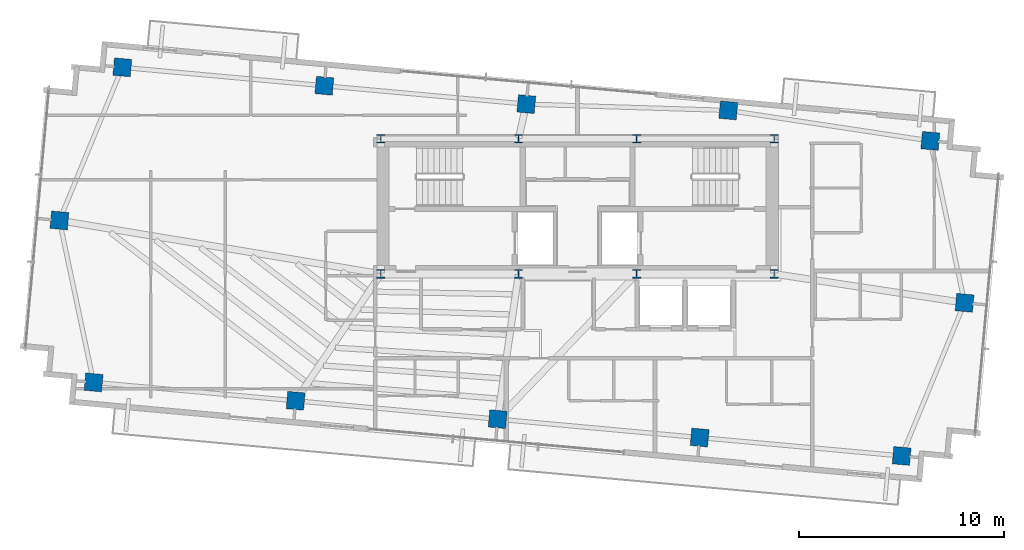
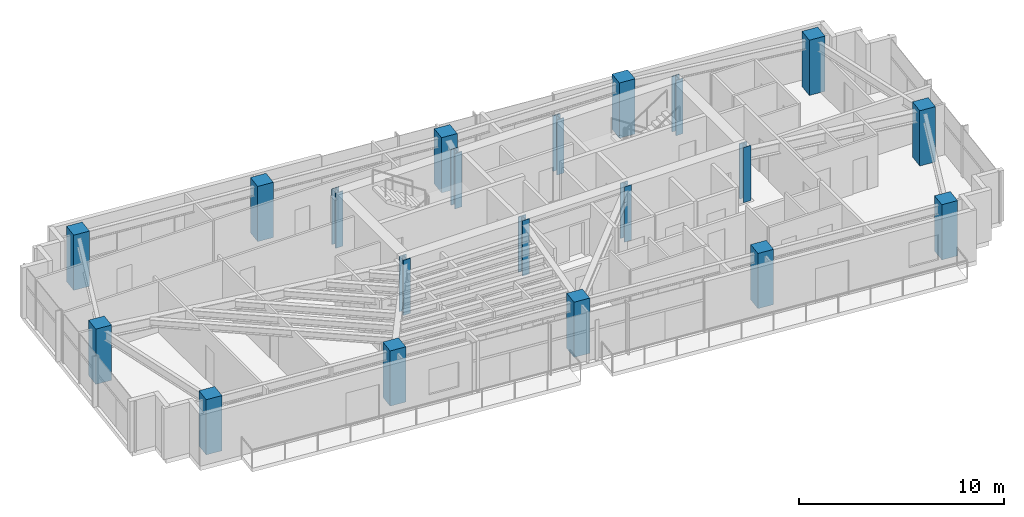
# One storey, part 1 of 22: 20 columns.
"""IFC4 building model written with IfcOpenShell, lengths in metres."""

import ifcopenshell
import ifcopenshell.guid

model = None  # the IFC model being written
_history = None  # IfcOwnerHistory: only IFC2X3 demands one
_inside = {}  # id of a spatial element -> (the spatial element, [elements in it])
_under = {}  # id of a project, library or spatial element -> (it, [spatial elements below it])
_declared = {}  # id of a project -> (the project, [libraries it declares])
_typed = {}  # id of a type object -> (the type object, [elements of that type])
_made_of = {}  # id of a material, layer set ... -> (it, [elements and type objects made of it])


def new_model(schema):
    """Start an empty IFC model of exactly this schema.

    Asked for "IFC4X3", IfcOpenShell would pick the latest addendum, in which some entities
    have other attributes; the version numbers below select the first issue.
    IFC2X3 requires an IfcOwnerHistory on every rooted entity: one is made here for all.
    """
    global model, _history
    if schema == "IFC4X3":
        model = ifcopenshell.file(schema_version=(4, 3, 0, 0))
    else:
        model = ifcopenshell.file(schema=schema)
    _inside.clear()
    _under.clear()
    _declared.clear()
    _typed.clear()
    _made_of.clear()
    _history = None
    if model.schema == "IFC2X3":
        org = make("IfcOrganization", Name="unknown")
        user = make(
            "IfcPersonAndOrganization",
            ThePerson=make("IfcPerson", FamilyName="unknown"),
            TheOrganization=org,
        )
        app = make(
            "IfcApplication",
            ApplicationDeveloper=org,
            Version="unknown",
            ApplicationFullName="unknown",
            ApplicationIdentifier="unknown",
        )
        _history = make(
            "IfcOwnerHistory",
            OwningUser=user,
            OwningApplication=app,
            ChangeAction="ADDED",
            CreationDate=0,
        )
    return model


def make(cls, **values):
    """One entity of the class cls with the attributes given. An attribute that is None is left unset."""
    return model.create_entity(
        cls, **{name: value for name, value in values.items() if value is not None}
    )


def rooted(cls, **values):
    """An entity with a GlobalId (a new one), such as an element, a storey or a relation."""
    return make(cls, GlobalId=ifcopenshell.guid.new(), OwnerHistory=_history, **values)


def si_unit(unit_type, name, prefix=None):
    """IfcSIUnit, for example si_unit("LENGTHUNIT", "METRE", prefix="MILLI")."""
    return make("IfcSIUnit", UnitType=unit_type, Prefix=prefix, Name=name)


def assignment(units):
    """IfcUnitAssignment: the units of a project."""
    return None if units is None else make("IfcUnitAssignment", Units=units)


def point(xyz):
    """IfcCartesianPoint."""
    return None if xyz is None else make("IfcCartesianPoint", Coordinates=xyz)


def direction(xyz):
    """IfcDirection."""
    return None if xyz is None else make("IfcDirection", DirectionRatios=xyz)


def frame(location, z_axis=None, x_axis=None):
    """IfcAxis2Placement3D, a coordinate frame: its origin and axes. An axis left out is left unset."""
    return make(
        "IfcAxis2Placement3D",
        Location=point(location),
        Axis=direction(z_axis),
        RefDirection=direction(x_axis),
    )


def frame_2d(location, x_axis=None):
    """IfcAxis2Placement2D, a coordinate frame in the plane: its origin and x axis."""
    return make(
        "IfcAxis2Placement2D", Location=point(location), RefDirection=direction(x_axis)
    )


def origin():
    """The frame at (0, 0, 0) with its axes left unset."""
    return frame((0.0, 0.0, 0.0))


def origin_2d():
    """The frame at (0, 0) in the plane with its x axis left unset."""
    return frame_2d((0.0, 0.0))


def place(relative_to, where):
    """IfcLocalPlacement: puts the frame where relative to a parent placement (None: the world)."""
    return make(
        "IfcLocalPlacement", PlacementRelTo=relative_to, RelativePlacement=where
    )


def context(
    kind, dimensions, precision=None, world=None, true_north=None, identifier=None
):
    """IfcGeometricRepresentationContext, for example the 3D "Model" context."""
    return make(
        "IfcGeometricRepresentationContext",
        ContextIdentifier=identifier,
        ContextType=kind,
        CoordinateSpaceDimension=dimensions,
        Precision=precision,
        WorldCoordinateSystem=world,
        TrueNorth=true_north,
    )


def subcontext(parent, identifier, kind, view, scale=None):
    """IfcGeometricRepresentationSubContext, for example "Body" below "Model"."""
    return make(
        "IfcGeometricRepresentationSubContext",
        ContextIdentifier=identifier,
        ContextType=kind,
        ParentContext=parent,
        TargetScale=scale,
        TargetView=view,
    )


def project(units=None, contexts=None):
    """IfcProject with its units and contexts."""
    return rooted(
        "IfcProject",
        Name="project",
        RepresentationContexts=contexts,
        UnitsInContext=assignment(units),
    )


def spatial(cls, under=None, at=None, **own):
    """A site, building, storey or space (cls), placed at a placement, below another one or the project."""
    s = rooted(cls, ObjectPlacement=at, **own)
    if under is not None:
        _under.setdefault(under.id(), (under, []))[1].append(s)
    return s


def profile(cls, at=None, kind="AREA", **sizes):
    """A parametric profile (cls). Its sizes go by their IFC names, for example OverallWidth=200.0."""
    return make(cls, ProfileType=kind, Position=at, **sizes)


def rectangle(**sizes):
    """IfcRectangleProfileDef."""
    return profile("IfcRectangleProfileDef", **sizes)


def i_section(**sizes):
    """IfcIShapeProfileDef."""
    return profile("IfcIShapeProfileDef", **sizes)


def extrude(swept, where, along, depth):
    """IfcExtrudedAreaSolid: the profile swept, set in the frame where, extruded along a direction by depth."""
    return make(
        "IfcExtrudedAreaSolid",
        SweptArea=swept,
        Position=where,
        ExtrudedDirection=direction(along),
        Depth=depth,
    )


def shape(context_of_items, identifier, shape_type, items):
    """IfcShapeRepresentation: the items that make up one representation, for example the "Body"."""
    return make(
        "IfcShapeRepresentation",
        ContextOfItems=context_of_items,
        RepresentationIdentifier=identifier,
        RepresentationType=shape_type,
        Items=items,
    )


def source(mapping_origin, context_of_items, identifier, shape_type, items):
    """IfcRepresentationMap: a shape defined once, which mapped items show again and again."""
    return make(
        "IfcRepresentationMap",
        MappingOrigin=mapping_origin,
        MappedRepresentation=shape(context_of_items, identifier, shape_type, items),
    )


def transform(
    local_origin,
    x_axis=None,
    y_axis=None,
    z_axis=None,
    scale=None,
    scale2=None,
    scale3=None,
    uniform=True,
):
    """IfcCartesianTransformationOperator3D, or its non-uniform kind. x_axis, y_axis, z_axis: its Axis1, 2, 3."""
    if uniform:
        return make(
            "IfcCartesianTransformationOperator3D",
            Axis1=direction(x_axis),
            Axis2=direction(y_axis),
            LocalOrigin=point(local_origin),
            Scale=scale,
            Axis3=direction(z_axis),
        )
    return make(
        "IfcCartesianTransformationOperator3DnonUniform",
        Axis1=direction(x_axis),
        Axis2=direction(y_axis),
        LocalOrigin=point(local_origin),
        Scale=scale,
        Axis3=direction(z_axis),
        Scale2=scale2,
        Scale3=scale3,
    )


def mapped(mapping_source, mapping_target):
    """IfcMappedItem: shows the shape of a source again, moved by a transform."""
    return make(
        "IfcMappedItem", MappingSource=mapping_source, MappingTarget=mapping_target
    )


def material(Name=None, Category=None):
    """IfcMaterial."""
    return make("IfcMaterial", Name=Name, Category=Category)


def material_profile(
    of_material, cross_section, Name=None, Category=None, Priority=None
):
    """IfcMaterialProfile: a cross section and its material."""
    return make(
        "IfcMaterialProfile",
        Name=Name,
        Material=of_material,
        Profile=cross_section,
        Priority=Priority,
        Category=Category,
    )


def profile_set(profiles, Name=None, composite=None):
    """IfcMaterialProfileSet."""
    return make(
        "IfcMaterialProfileSet",
        Name=Name,
        MaterialProfiles=profiles,
        CompositeProfile=composite,
    )


def made_of(thing, what):
    """Note that an element or type object is made of a material, layer set ...; save() writes the relation."""
    if what is not None:
        _made_of.setdefault(what.id(), (what, []))[1].append(thing)
    return thing


def type_object(cls, material=None, **own):
    """A type object (cls), such as IfcWallType, which elements share."""
    return made_of(rooted(cls, **own), material)


def type_shapes(of_type, sources):
    """Give a type object the sources (RepresentationMaps) that its elements show as mapped items."""
    of_type.RepresentationMaps = sources


def element(
    cls,
    number,
    at=None,
    inside=None,
    cuts=None,
    type_object=None,
    material=None,
    context=None,
    identifier="Body",
    shape_type=None,
    held_by="IfcProductDefinitionShape",
    body=None,
    shapes=None,
    **own,
):
    """One element of the class cls, such as IfcWall. Its Tag is "e" and its number.

    at: its placement. inside: the storey or other place that contains it. cuts: it is an
    opening in that element (IfcRelVoidsElement). A single representation is given by context,
    identifier, shape_type and body (its items); several are given by shapes. held_by: the class
    of the entity that holds the representations. save() writes the other relations.
    """
    e = rooted(cls, Tag="e%d" % number, ObjectPlacement=at, **own)
    if body is not None:
        shapes = [shape(context, identifier, shape_type, body)]
    if shapes is not None:
        e.Representation = make(held_by, Representations=shapes)
    if inside is not None:
        _inside.setdefault(inside.id(), (inside, []))[1].append(e)
    if cuts is not None:
        rooted(
            "IfcRelVoidsElement", RelatingBuildingElement=cuts, RelatedOpeningElement=e
        )
    if type_object is not None:
        _typed.setdefault(type_object.id(), (type_object, []))[1].append(e)
    return made_of(e, material)


def aggregate(whole, parts):
    """IfcRelAggregates: a whole, such as a stair, and the parts it consists of."""
    return rooted("IfcRelAggregates", RelatingObject=whole, RelatedObjects=parts)


def save(model, path):
    """Write the relations noted so far, then the file.

    IfcRelAggregates (storeys below a building ...), IfcRelContainedInSpatialStructure (elements
    in a storey), IfcRelDefinesByType, IfcRelAssociatesMaterial and IfcRelDeclares: one each for
    every whole, place, type object, material and project.
    """
    for whole, parts in _under.values():
        aggregate(whole, parts)
    for where, things in _inside.values():
        rooted(
            "IfcRelContainedInSpatialStructure",
            RelatedElements=things,
            RelatingStructure=where,
        )
    for kind, things in _typed.values():
        rooted("IfcRelDefinesByType", RelatedObjects=things, RelatingType=kind)
    for what, things in _made_of.values():
        rooted("IfcRelAssociatesMaterial", RelatedObjects=things, RelatingMaterial=what)
    for by, libraries in _declared.values():
        rooted("IfcRelDeclares", RelatingContext=by, RelatedDefinitions=libraries)
    model.write(path)


model = new_model("IFC4")

# Units and contexts
model_context = context("Model", 3, precision=1e-05, world=origin(), true_north=direction((0.0, 1.0)))
body_context = subcontext(model_context, "Body", "Model", "MODEL_VIEW")
ifc_project = project(units=[si_unit("LENGTHUNIT", "METRE"), si_unit("AREAUNIT", "SQUARE_METRE"), si_unit("VOLUMEUNIT", "CUBIC_METRE"), si_unit("PLANEANGLEUNIT", "RADIAN"), si_unit("MASSUNIT", "GRAM", prefix="KILO")], contexts=[model_context])

# Site, building, storey
site_placement = place(None, origin())
site = spatial("IfcSite", under=ifc_project, at=site_placement, CompositionType="ELEMENT")
building_placement = place(site_placement, origin())
building = spatial("IfcBuilding", under=site, at=building_placement, Name="Astriad Promenade Condominiums", CompositionType="ELEMENT")
storey_placement = place(building_placement, frame((0.0, 0.0, 236.39990234375)))
storey = spatial("IfcBuildingStorey", under=building, at=storey_placement, Name="L68", CompositionType="ELEMENT", Elevation=236.39990234375)

# Columns
ifc_material_1 = material(Name="Steel ASTM A992 Grade 50", Category="steel")
ifc_material_profile_1 = material_profile(ifc_material_1, i_section(OverallWidth=0.4091796875, OverallDepth=0.42529296875, WebThickness=0.03271484375, FlangeThickness=0.052490234375, FilletRadius=0.017822265625, at=origin_2d()), Name="W14X283")
ifc_profile_set_1 = profile_set([ifc_material_profile_1], Name="Steel ASTM A992 Grade 50")
column_type_1 = type_object("IfcColumnType", Name="STEEL CORE PILASTER W14X283", PredefinedType="PILASTER", material=ifc_profile_set_1)
shared_shape_1 = source(origin(), body_context, "Body", "SweptSolid", [
    extrude(i_section(OverallWidth=0.4091796875, OverallDepth=0.42529296875, WebThickness=0.03271484375, FlangeThickness=0.052490234375, FilletRadius=0.017822265625, at=origin_2d()), origin(), (0.0, 0.0, 1.0), 3.2958984375),
])
type_shapes(column_type_1, [shared_shape_1])
for number, where, z_axis, x_axis, name in (
    (1, (26.39990234375, 17.39990234375, 0.002197265625), (0.0, 0.0, 1.0), (1.0, 0.0, 0.0), "Core Pilaster Column CP1 (L68)"),
    (2, (33.1201171875, 17.39990234375, 0.002197265625), (0.0, 0.0, 1.0), (1.0, 0.0, 0.0), "Core Pilaster Column CP2 (L68)"),
    (3, (38.8798828125, 17.39990234375, 0.002197265625), (0.0, 0.0, 1.0), (1.0, 0.0, 0.0), "Core Pilaster Column CP3 (L68)"),
    (4, (45.60009765625, 17.39990234375, 0.002197265625), (0.0, 0.0, 1.0), (1.0, 0.0, 0.0), "Core Pilaster Column CP4 (L68)"),
    (5, (26.39990234375, 24.0, 0.002197265625), (0.0, 0.0, 1.0), (1.0, 0.0, 0.0), "Core Pilaster Column CP5 (L68)"),
    (6, (33.1201171875, 24.0, 0.002197265625), (0.0, 0.0, 1.0), (1.0, 0.0, 0.0), "Core Pilaster Column CP6 (L68)"),
    (7, (38.8798828125, 24.0, 0.002197265625), (0.0, 0.0, 1.0), (1.0, 0.0, 0.0), "Core Pilaster Column CP7 (L68)"),
    (8, (45.60009765625, 24.0, 0.002197265625), (0.0, 0.0, 1.0), (1.0, 0.0, 0.0), "Core Pilaster Column CP8 (L68)"),
):
    element("IfcColumn", number, at=place(storey_placement, frame(where, z_axis=z_axis, x_axis=x_axis)), inside=storey, type_object=column_type_1, Name=name, PredefinedType="PILASTER", context=body_context, shape_type="MappedRepresentation", body=[
        mapped(shared_shape_1, transform((0.0, 0.0, 0.0), scale=1.0)),
    ])
ifc_material_2 = material(Name="Concrete C50/60", Category="concrete")
ifc_material_profile_2 = material_profile(ifc_material_2, rectangle(XDim=0.85009765625, YDim=0.85009765625, at=origin_2d()), Name="RC-COL-850X850")
ifc_profile_set_2 = profile_set([ifc_material_profile_2], Name="Concrete C50/60")
column_type_2 = type_object("IfcColumnType", Name="CONCRETE TOWER COLUMN 850X850", PredefinedType="COLUMN", material=ifc_profile_set_2)
shared_shape_2 = source(origin(), body_context, "Body", "SweptSolid", [
    extrude(rectangle(XDim=0.85009765625, YDim=0.85009765625, at=origin_2d()), origin(), (0.0, 0.0, 1.0), 3.2958984375),
])
type_shapes(column_type_2, [shared_shape_2])
for number, where, z_axis, x_axis, name in (
    (9, (12.3818359375, 12.106201171875, 0.002197265625), (0.0, 0.0, 1.0), (0.995884398616, -0.090632580198, 0.0), "Perimeter Column PC01 (L68)"),
    (10, (22.2412109375, 11.208984375, 0.002197265625), (0.0, 0.0, 1.0), (0.995884398616, -0.090632580198, 0.0), "Perimeter Column PC02 (L68)"),
    (11, (32.100341796875, 10.311767578125, 0.002197265625), (0.0, 0.0, 1.0), (0.995884398616, -0.090632580198, 0.0), "Perimeter Column PC03 (L68)"),
    (12, (41.959716796875, 9.41455078125, 0.002197265625), (0.0, 0.0, 1.0), (0.995884398616, -0.090632580198, 0.0), "Perimeter Column PC04 (L68)"),
    (13, (51.81884765625, 8.51708984375, 0.002197265625), (0.0, 0.0, 1.0), (0.995884398616, -0.090632580198, 0.0), "Perimeter Column PC05 (L68)"),
    (14, (13.78125, 27.48291015625, 0.002197265625), (0.0, 0.0, 1.0), (0.995884398616, -0.090632580198, 0.0), "Perimeter Column PC06 (L68)"),
    (15, (23.640380859375, 26.58544921875, 0.002197265625), (0.0, 0.0, 1.0), (0.995884398616, -0.090632580198, 0.0), "Perimeter Column PC07 (L68)"),
    (16, (33.499755859375, 25.688232421875, 0.002197265625), (0.0, 0.0, 1.0), (0.995884398616, -0.090632580198, 0.0), "Perimeter Column PC08 (L68)"),
    (17, (43.35888671875, 25.3798828125, 0.002197265625), (0.0, 0.0, 1.0), (0.995884398616, -0.090632580198, 0.0), "Perimeter Column PC09 (L68)"),
    (18, (53.21826171875, 23.893798828125, 0.002197265625), (0.0, 0.0, 1.0), (0.995884398616, -0.090632580198, 0.0), "Perimeter Column PC10 (L68)"),
    (19, (10.711181640625, 20.01025390625, 0.002197265625), (0.0, 0.0, 1.0), (0.995884398616, -0.090632580198, 0.0), "Perimeter Column PC11 (L68)"),
    (20, (54.888671875, 15.98974609375, 0.002197265625), (0.0, 0.0, 1.0), (0.995884398616, -0.090632580198, 0.0), "Perimeter Column PC12 (L68)"),
):
    element("IfcColumn", number, at=place(storey_placement, frame(where, z_axis=z_axis, x_axis=x_axis)), inside=storey, type_object=column_type_2, Name=name, PredefinedType="COLUMN", context=body_context, shape_type="MappedRepresentation", body=[
        mapped(shared_shape_2, transform((0.0, 0.0, 0.0), scale=1.0)),
    ])

save(model, "model.ifc")
